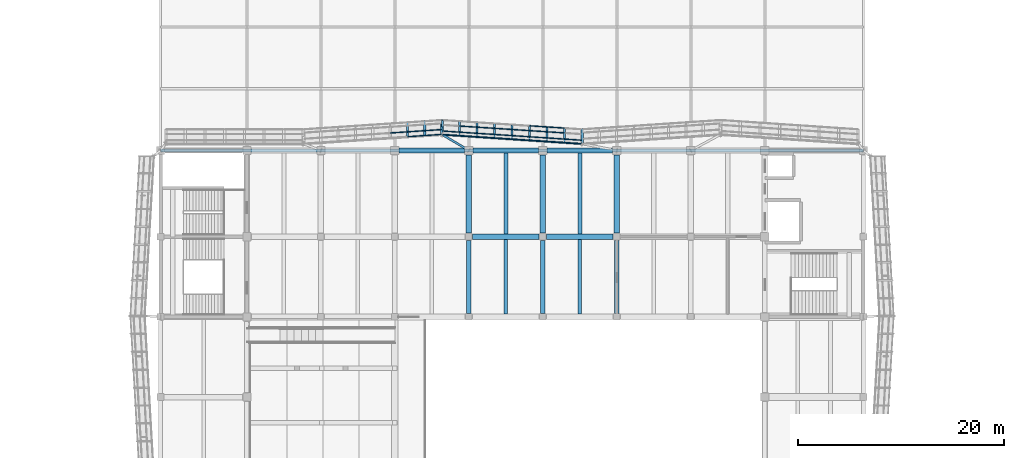
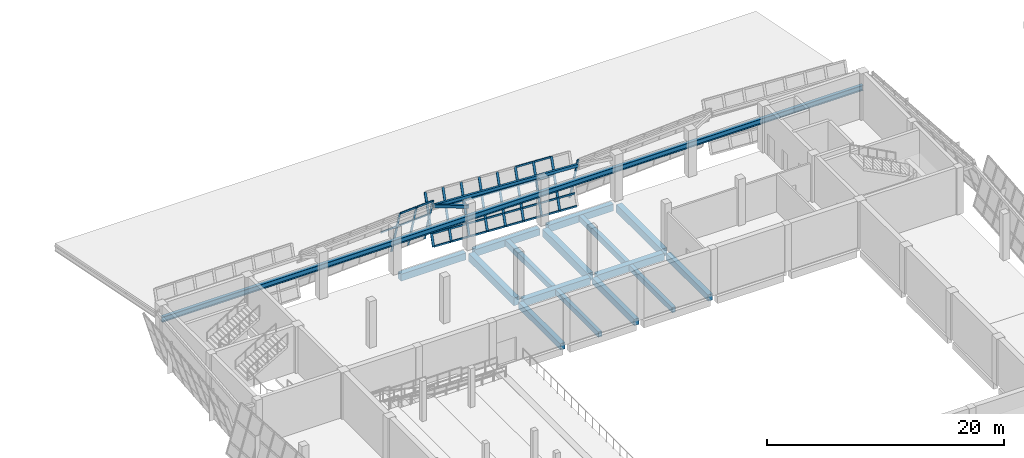
# One storey, part 27 of 79: 41 members, 18 beams, 3 elements without a shape of their own.
"""IFC4 building model written with IfcOpenShell, lengths in metres."""

from ifc_helpers import new_model, si_unit, direction, frame, origin, origin_2d, place, context, subcontext, project, spatial, rectangle, hollow_rectangle, i_section, extrude, material, material_profile, profile_set, type_object, element, aggregate, save


model = new_model("IFC4")

# Units and contexts
model_context = context("Model", 3, precision=1e-05, world=origin(), true_north=direction((0.0, 1.0)))
body_context = subcontext(model_context, "Body", "Model", "MODEL_VIEW")
ifc_project = project(units=[si_unit("LENGTHUNIT", "METRE"), si_unit("AREAUNIT", "SQUARE_METRE"), si_unit("VOLUMEUNIT", "CUBIC_METRE"), si_unit("PLANEANGLEUNIT", "RADIAN"), si_unit("MASSUNIT", "GRAM", prefix="KILO")], contexts=[model_context])

# Site, building, storey
site_placement = place(None, origin())
site = spatial("IfcSite", under=ifc_project, at=site_placement, CompositionType="ELEMENT")
building_placement = place(site_placement, origin())
building = spatial("IfcBuilding", under=site, at=building_placement, Name="Pellamere Symphony Hall", CompositionType="ELEMENT")
storey_placement = place(building_placement, frame((0.0, 0.0, 10.199951171875)))
storey = spatial("IfcBuildingStorey", under=building, at=storey_placement, Name="L02", CompositionType="ELEMENT", Elevation=10.199951171875)

# Curtain wall, member
ifc_material_1 = material(Name="Thermally Broken Anodised Aluminium 6063-T6 Curtain Wall", Category="aluminium")
curtain_wall_type = type_object("IfcCurtainWallType", Name="Curtain Wall CW-01 (Tilted Faceted Crystal Low-Iron Curtain Wall)", PredefinedType="NOTDEFINED", material=ifc_material_1)
curtain_wall_1_placement = place(storey_placement, origin())
curtain_wall_1 = element("IfcCurtainWall", 1, at=curtain_wall_1_placement, inside=storey, type_object=curtain_wall_type, Name="Crystal Faceted Curtain Wall CW-CR11 (L02)", PredefinedType="NOTDEFINED")
ifc_material_2 = material(Name="Anodised Architectural Aluminium 6063-T6", Category="aluminium")
ifc_material_profile_1 = material_profile(ifc_material_2, hollow_rectangle(XDim=0.074951171875, YDim=0.219970703125, WallThickness=0.0048828125, at=origin_2d()), Name="ALU-M75X220X5")
ifc_profile_set_1 = profile_set([ifc_material_profile_1], Name="Anodised Architectural Aluminium 6063-T6")
member_type_1 = type_object("IfcMemberType", Name="Curtain Wall Mullion ML-01 ALU-M75X220X5", PredefinedType="MULLION", material=ifc_profile_set_1)
member_1_placement = place(storey_placement, frame((91.4375, 95.67431640625, 0.0), z_axis=(0.0, -0.284021911736, 0.9588177896), x_axis=(0.066519010519, -0.956694159552, -0.283392848036)))
member_1 = element("IfcMember", 2, at=member_1_placement, type_object=member_type_1, Name="CW1-025 crystal mullion 9", PredefinedType="MULLION", context=body_context, shape_type="SweptSolid", body=[
    extrude(hollow_rectangle(XDim=0.074951171875, YDim=0.219970703125, WallThickness=0.0048828125, at=origin_2d()), origin(), (0.0, 0.0, 1.0), 5.006103515625),
])
aggregate(curtain_wall_1, [member_1])

# Curtain wall, members
curtain_wall_2_placement = place(storey_placement, origin())
curtain_wall_2 = element("IfcCurtainWall", 3, at=curtain_wall_2_placement, inside=storey, type_object=curtain_wall_type, Name="Crystal Faceted Curtain Wall CW-CR12 (L02)", PredefinedType="NOTDEFINED")
member_2_placement = place(storey_placement, frame((89.699951171875, 94.362548828125, 0.0), z_axis=(0.0, 0.283977077304, 0.958831069358), x_axis=(0.066032040643, 0.956738423577, -0.283357298229)))
member_2 = element("IfcMember", 4, at=member_2_placement, type_object=member_type_1, Name="CW1-028 crystal mullion 2", PredefinedType="MULLION", context=body_context, shape_type="SweptSolid", body=[
    extrude(hollow_rectangle(XDim=0.074951171875, YDim=0.219970703125, WallThickness=0.0048828125, at=origin_2d()), origin(), (0.0, 0.0, 1.0), 5.006103515625),
])
member_3_placement = place(storey_placement, frame((88.0, 94.47509765625, 0.0), z_axis=(0.0, 0.283977077304, 0.958831069358), x_axis=(0.066032040643, 0.956738423577, -0.283357298229)))
member_3 = element("IfcMember", 5, at=member_3_placement, type_object=member_type_1, Name="CW1-028 crystal mullion 3", PredefinedType="MULLION", context=body_context, shape_type="SweptSolid", body=[
    extrude(hollow_rectangle(XDim=0.074951171875, YDim=0.219970703125, WallThickness=0.0048828125, at=origin_2d()), origin(), (0.0, 0.0, 1.0), 5.006103515625),
])
member_4_placement = place(storey_placement, frame((86.300048828125, 94.58740234375, 0.0), z_axis=(0.0, 0.284021911736, 0.9588177896), x_axis=(0.066032040643, 0.956725172802, -0.28340203481)))
member_4 = element("IfcMember", 6, at=member_4_placement, type_object=member_type_1, Name="CW1-028 crystal mullion 4", PredefinedType="MULLION", context=body_context, shape_type="SweptSolid", body=[
    extrude(hollow_rectangle(XDim=0.074951171875, YDim=0.219970703125, WallThickness=0.0048828125, at=origin_2d()), origin(), (0.0, 0.0, 1.0), 5.006103515625),
])
member_5_placement = place(storey_placement, frame((84.60009765625, 94.699951171875, 0.0), z_axis=(0.0, 0.284021911736, 0.9588177896), x_axis=(0.066032040643, 0.956725172802, -0.28340203481)))
member_5 = element("IfcMember", 7, at=member_5_placement, type_object=member_type_1, Name="CW1-028 crystal mullion 5", PredefinedType="MULLION", context=body_context, shape_type="SweptSolid", body=[
    extrude(hollow_rectangle(XDim=0.074951171875, YDim=0.219970703125, WallThickness=0.0048828125, at=origin_2d()), origin(), (0.0, 0.0, 1.0), 5.006103515625),
])
member_6_placement = place(storey_placement, frame((82.89990234375, 94.8125, 0.0), z_axis=(0.0, 0.284021911736, 0.9588177896), x_axis=(0.066032040643, 0.956725172802, -0.28340203481)))
member_6 = element("IfcMember", 8, at=member_6_placement, type_object=member_type_1, Name="CW1-028 crystal mullion 6", PredefinedType="MULLION", context=body_context, shape_type="SweptSolid", body=[
    extrude(hollow_rectangle(XDim=0.074951171875, YDim=0.219970703125, WallThickness=0.0048828125, at=origin_2d()), origin(), (0.0, 0.0, 1.0), 5.006103515625),
])
member_7_placement = place(storey_placement, frame((81.199951171875, 94.925048828125, 0.0), z_axis=(0.0, 0.283977077304, 0.958831069358), x_axis=(0.066032040643, 0.956738423577, -0.283357298229)))
member_7 = element("IfcMember", 9, at=member_7_placement, type_object=member_type_1, Name="CW1-028 crystal mullion 7", PredefinedType="MULLION", context=body_context, shape_type="SweptSolid", body=[
    extrude(hollow_rectangle(XDim=0.074951171875, YDim=0.219970703125, WallThickness=0.0048828125, at=origin_2d()), origin(), (0.0, 0.0, 1.0), 5.006103515625),
])
member_8_placement = place(storey_placement, frame((79.5, 95.03759765625, 0.0), z_axis=(0.0, 0.283977077304, 0.958831069358), x_axis=(0.066032040643, 0.956738423577, -0.283357298229)))
member_8 = element("IfcMember", 10, at=member_8_placement, type_object=member_type_1, Name="CW1-028 crystal mullion 8", PredefinedType="MULLION", context=body_context, shape_type="SweptSolid", body=[
    extrude(hollow_rectangle(XDim=0.074951171875, YDim=0.219970703125, WallThickness=0.0048828125, at=origin_2d()), origin(), (0.0, 0.0, 1.0), 5.006103515625),
])
member_9_placement = place(storey_placement, frame((77.83740234375, 95.1474609375, 0.0), z_axis=(0.0, 0.284021911736, 0.9588177896), x_axis=(0.066032040643, 0.956725172802, -0.28340203481)))
member_9 = element("IfcMember", 11, at=member_9_placement, type_object=member_type_1, Name="CW1-028 crystal mullion 9", PredefinedType="MULLION", context=body_context, shape_type="SweptSolid", body=[
    extrude(hollow_rectangle(XDim=0.074951171875, YDim=0.219970703125, WallThickness=0.0048828125, at=origin_2d()), origin(), (0.0, 0.0, 1.0), 5.006103515625),
])

curtain_wall_3_placement = place(storey_placement, origin())
curtain_wall_3 = element("IfcCurtainWall", 12, at=curtain_wall_3_placement, inside=storey, type_object=curtain_wall_type, Name="Crystal Faceted Curtain Wall CW-CR13 (L02)", PredefinedType="NOTDEFINED")
member_10_placement = place(storey_placement, frame((77.7626953125, 96.5693359375, 0.0), z_axis=(0.0, -0.284021911736, 0.9588177896), x_axis=(0.066519010519, -0.956694159552, -0.283392848036)))
member_10 = element("IfcMember", 13, at=member_10_placement, type_object=member_type_1, Name="CW1-031 crystal mullion 1", PredefinedType="MULLION", context=body_context, shape_type="SweptSolid", body=[
    extrude(hollow_rectangle(XDim=0.074951171875, YDim=0.219970703125, WallThickness=0.0048828125, at=origin_2d()), origin(), (0.0, 0.0, 1.0), 5.006103515625),
])
member_11_placement = place(storey_placement, frame((76.112548828125, 96.459228515625, 0.0), z_axis=(0.0, -0.283977077304, 0.958831069358), x_axis=(0.066519010519, -0.956707409897, -0.283348112905)))
member_11 = element("IfcMember", 14, at=member_11_placement, type_object=member_type_1, Name="CW1-031 crystal mullion 2", PredefinedType="MULLION", context=body_context, shape_type="SweptSolid", body=[
    extrude(hollow_rectangle(XDim=0.074951171875, YDim=0.219970703125, WallThickness=0.0048828125, at=origin_2d()), origin(), (0.0, 0.0, 1.0), 5.006103515625),
])
member_12_placement = place(storey_placement, frame((74.425048828125, 96.3466796875, 0.0), z_axis=(0.0, -0.283977077304, 0.958831069358), x_axis=(0.066519010519, -0.956707409897, -0.283348112905)))
member_12 = element("IfcMember", 15, at=member_12_placement, type_object=member_type_1, Name="CW1-031 crystal mullion 3", PredefinedType="MULLION", context=body_context, shape_type="SweptSolid", body=[
    extrude(hollow_rectangle(XDim=0.074951171875, YDim=0.219970703125, WallThickness=0.0048828125, at=origin_2d()), origin(), (0.0, 0.0, 1.0), 5.006103515625),
])

# Member
ifc_material_profile_2 = material_profile(ifc_material_2, hollow_rectangle(XDim=0.074951171875, YDim=0.179931640625, WallThickness=0.0048828125, at=origin_2d()), Name="ALU-T75X180X5")
ifc_profile_set_2 = profile_set([ifc_material_profile_2], Name="Anodised Architectural Aluminium 6063-T6")
member_type_2 = type_object("IfcMemberType", Name="Curtain Wall Transom TR-01 ALU-T75X180X5", PredefinedType="USERDEFINED", material=ifc_profile_set_2)
member_13_placement = place(storey_placement, frame((91.3251953125, 94.265625, 0.035888671875), z_axis=(-0.997821663418, 0.065969144414, 0.0), x_axis=(-0.065969144414, -0.997821663418, 0.0)))
member_13 = element("IfcMember", 16, at=member_13_placement, type_object=member_type_2, Name="CW1-028 crystal transom 1.1", ObjectType="TRANSOM", PredefinedType="USERDEFINED", context=body_context, shape_type="SweptSolid", body=[
    extrude(hollow_rectangle(XDim=0.074951171875, YDim=0.179931640625, WallThickness=0.0048828125, at=origin_2d()), origin(), (0.0, 0.0, 1.0), 1.59130859375),
])

member_14_placement = place(storey_placement, frame((91.3251953125, 94.59619140625, 1.152099609375), z_axis=(-0.997821663418, 0.065969144414, 0.0), x_axis=(-0.065969144414, -0.997821663418, 0.0)))
member_14 = element("IfcMember", 17, at=member_14_placement, type_object=member_type_2, Name="CW1-028 crystal transom 1.2", ObjectType="TRANSOM", PredefinedType="USERDEFINED", context=body_context, shape_type="SweptSolid", body=[
    extrude(hollow_rectangle(XDim=0.074951171875, YDim=0.179931640625, WallThickness=0.0048828125, at=origin_2d()), origin(), (0.0, 0.0, 1.0), 1.59130859375),
])

member_15_placement = place(storey_placement, frame((89.66259765625, 94.375732421875, 0.035888671875), z_axis=(-0.997822801026, 0.065951935174, 0.0), x_axis=(-0.065951935174, -0.997822801026, 0.0)))
member_15 = element("IfcMember", 18, at=member_15_placement, type_object=member_type_2, Name="CW1-028 crystal transom 2.1", ObjectType="TRANSOM", PredefinedType="USERDEFINED", context=body_context, shape_type="SweptSolid", body=[
    extrude(hollow_rectangle(XDim=0.074951171875, YDim=0.179931640625, WallThickness=0.0048828125, at=origin_2d()), origin(), (0.0, 0.0, 1.0), 1.62890625),
])

member_16_placement = place(storey_placement, frame((89.66259765625, 94.706298828125, 1.152099609375), z_axis=(-0.997822801026, 0.065951935174, 0.0), x_axis=(-0.065951935174, -0.997822801026, 0.0)))
member_16 = element("IfcMember", 19, at=member_16_placement, type_object=member_type_2, Name="CW1-028 crystal transom 2.2", ObjectType="TRANSOM", PredefinedType="USERDEFINED", context=body_context, shape_type="SweptSolid", body=[
    extrude(hollow_rectangle(XDim=0.074951171875, YDim=0.179931640625, WallThickness=0.0048828125, at=origin_2d()), origin(), (0.0, 0.0, 1.0), 1.62890625),
])

member_17_placement = place(storey_placement, frame((89.66259765625, 95.303466796875, 3.16796875), z_axis=(-0.997822801026, 0.065951935174, 0.0), x_axis=(-0.065951935174, -0.997822801026, 0.0)))
member_17 = element("IfcMember", 20, at=member_17_placement, type_object=member_type_2, Name="CW1-028 crystal transom 2.3", ObjectType="TRANSOM", PredefinedType="USERDEFINED", context=body_context, shape_type="SweptSolid", body=[
    extrude(hollow_rectangle(XDim=0.074951171875, YDim=0.179931640625, WallThickness=0.0048828125, at=origin_2d()), origin(), (0.0, 0.0, 1.0), 1.62890625),
])

member_18_placement = place(storey_placement, frame((89.66259765625, 95.776123046875, 4.76416015625), z_axis=(-0.9978129259, 0.066101171747, 0.0), x_axis=(-0.066101171747, -0.9978129259, 0.0)))
member_18 = element("IfcMember", 21, at=member_18_placement, type_object=member_type_2, Name="CW1-028 crystal transom 2.4", ObjectType="TRANSOM", PredefinedType="USERDEFINED", context=body_context, shape_type="SweptSolid", body=[
    extrude(hollow_rectangle(XDim=0.074951171875, YDim=0.179931640625, WallThickness=0.0048828125, at=origin_2d()), origin(), (0.0, 0.0, 1.0), 1.62890625),
])

member_19_placement = place(storey_placement, frame((87.962646484375, 94.488037109375, 0.035888671875), z_axis=(-0.9978129259, 0.066101171747, 0.0), x_axis=(-0.066101171747, -0.9978129259, 0.0)))
member_19 = element("IfcMember", 22, at=member_19_placement, type_object=member_type_2, Name="CW1-028 crystal transom 3.1", ObjectType="TRANSOM", PredefinedType="USERDEFINED", context=body_context, shape_type="SweptSolid", body=[
    extrude(hollow_rectangle(XDim=0.074951171875, YDim=0.179931640625, WallThickness=0.0048828125, at=origin_2d()), origin(), (0.0, 0.0, 1.0), 1.62890625),
])

member_20_placement = place(storey_placement, frame((87.962646484375, 94.818603515625, 1.152099609375), z_axis=(-0.9978129259, 0.066101171747, 0.0), x_axis=(-0.066101171747, -0.9978129259, 0.0)))
member_20 = element("IfcMember", 23, at=member_20_placement, type_object=member_type_2, Name="CW1-028 crystal transom 3.2", ObjectType="TRANSOM", PredefinedType="USERDEFINED", context=body_context, shape_type="SweptSolid", body=[
    extrude(hollow_rectangle(XDim=0.074951171875, YDim=0.179931640625, WallThickness=0.0048828125, at=origin_2d()), origin(), (0.0, 0.0, 1.0), 1.62890625),
])

member_21_placement = place(storey_placement, frame((87.962646484375, 95.415771484375, 3.16796875), z_axis=(-0.9978129259, 0.066101171747, 0.0), x_axis=(-0.066101171747, -0.9978129259, 0.0)))
member_21 = element("IfcMember", 24, at=member_21_placement, type_object=member_type_2, Name="CW1-028 crystal transom 3.3", ObjectType="TRANSOM", PredefinedType="USERDEFINED", context=body_context, shape_type="SweptSolid", body=[
    extrude(hollow_rectangle(XDim=0.074951171875, YDim=0.179931640625, WallThickness=0.0048828125, at=origin_2d()), origin(), (0.0, 0.0, 1.0), 1.62890625),
])

member_22_placement = place(storey_placement, frame((87.962646484375, 95.888671875, 4.76416015625), z_axis=(-0.997822801026, 0.065951935174, 0.0), x_axis=(-0.065951935174, -0.997822801026, 0.0)))
member_22 = element("IfcMember", 25, at=member_22_placement, type_object=member_type_2, Name="CW1-028 crystal transom 3.4", ObjectType="TRANSOM", PredefinedType="USERDEFINED", context=body_context, shape_type="SweptSolid", body=[
    extrude(hollow_rectangle(XDim=0.074951171875, YDim=0.179931640625, WallThickness=0.0048828125, at=origin_2d()), origin(), (0.0, 0.0, 1.0), 1.62890625),
])

member_23_placement = place(storey_placement, frame((86.2626953125, 94.6005859375, 0.035888671875), z_axis=(-0.9978129259, 0.066101171747, 0.0), x_axis=(-0.066101171747, -0.9978129259, 0.0)))
member_23 = element("IfcMember", 26, at=member_23_placement, type_object=member_type_2, Name="CW1-028 crystal transom 4.1", ObjectType="TRANSOM", PredefinedType="USERDEFINED", context=body_context, shape_type="SweptSolid", body=[
    extrude(hollow_rectangle(XDim=0.074951171875, YDim=0.179931640625, WallThickness=0.0048828125, at=origin_2d()), origin(), (0.0, 0.0, 1.0), 1.62890625),
])

member_24_placement = place(storey_placement, frame((86.2626953125, 94.93115234375, 1.152099609375), z_axis=(-0.9978129259, 0.066101171747, 0.0), x_axis=(-0.066101171747, -0.9978129259, 0.0)))
member_24 = element("IfcMember", 27, at=member_24_placement, type_object=member_type_2, Name="CW1-028 crystal transom 4.2", ObjectType="TRANSOM", PredefinedType="USERDEFINED", context=body_context, shape_type="SweptSolid", body=[
    extrude(hollow_rectangle(XDim=0.074951171875, YDim=0.179931640625, WallThickness=0.0048828125, at=origin_2d()), origin(), (0.0, 0.0, 1.0), 1.62890625),
])

member_25_placement = place(storey_placement, frame((86.2626953125, 95.5283203125, 3.16796875), z_axis=(-0.9978129259, 0.066101171747, 0.0), x_axis=(-0.066101171747, -0.9978129259, 0.0)))
member_25 = element("IfcMember", 28, at=member_25_placement, type_object=member_type_2, Name="CW1-028 crystal transom 4.3", ObjectType="TRANSOM", PredefinedType="USERDEFINED", context=body_context, shape_type="SweptSolid", body=[
    extrude(hollow_rectangle(XDim=0.074951171875, YDim=0.179931640625, WallThickness=0.0048828125, at=origin_2d()), origin(), (0.0, 0.0, 1.0), 1.62890625),
])

member_26_placement = place(storey_placement, frame((84.5625, 94.713134765625, 0.035888671875), z_axis=(-0.997822148906, 0.065961800709, 0.0), x_axis=(-0.065961800709, -0.997822148906, 0.0)))
member_26 = element("IfcMember", 29, at=member_26_placement, type_object=member_type_2, Name="CW1-028 crystal transom 5.1", ObjectType="TRANSOM", PredefinedType="USERDEFINED", context=body_context, shape_type="SweptSolid", body=[
    extrude(hollow_rectangle(XDim=0.074951171875, YDim=0.179931640625, WallThickness=0.0048828125, at=origin_2d()), origin(), (0.0, 0.0, 1.0), 1.628662109375),
])

member_27_placement = place(storey_placement, frame((84.5625, 95.043701171875, 1.152099609375), z_axis=(-0.997812270832, 0.066111059411, 0.0), x_axis=(-0.066111059411, -0.997812270832, 0.0)))
member_27 = element("IfcMember", 30, at=member_27_placement, type_object=member_type_2, Name="CW1-028 crystal transom 5.2", ObjectType="TRANSOM", PredefinedType="USERDEFINED", context=body_context, shape_type="SweptSolid", body=[
    extrude(hollow_rectangle(XDim=0.074951171875, YDim=0.179931640625, WallThickness=0.0048828125, at=origin_2d()), origin(), (0.0, 0.0, 1.0), 1.628662109375),
])

member_28_placement = place(storey_placement, frame((84.5625, 95.640869140625, 3.16796875), z_axis=(-0.997822148906, 0.065961800709, 0.0), x_axis=(-0.065961800709, -0.997822148906, 0.0)))
member_28 = element("IfcMember", 31, at=member_28_placement, type_object=member_type_2, Name="CW1-028 crystal transom 5.3", ObjectType="TRANSOM", PredefinedType="USERDEFINED", context=body_context, shape_type="SweptSolid", body=[
    extrude(hollow_rectangle(XDim=0.074951171875, YDim=0.179931640625, WallThickness=0.0048828125, at=origin_2d()), origin(), (0.0, 0.0, 1.0), 1.628662109375),
])

member_29_placement = place(storey_placement, frame((82.862548828125, 94.82568359375, 0.035888671875), z_axis=(-0.997822801026, 0.065951935174, 0.0), x_axis=(-0.065951935174, -0.997822801026, 0.0)))
member_29 = element("IfcMember", 32, at=member_29_placement, type_object=member_type_2, Name="CW1-028 crystal transom 6.1", ObjectType="TRANSOM", PredefinedType="USERDEFINED", context=body_context, shape_type="SweptSolid", body=[
    extrude(hollow_rectangle(XDim=0.074951171875, YDim=0.179931640625, WallThickness=0.0048828125, at=origin_2d()), origin(), (0.0, 0.0, 1.0), 1.62890625),
])

member_30_placement = place(storey_placement, frame((82.862548828125, 95.15625, 1.152099609375), z_axis=(-0.997822801026, 0.065951935174, 0.0), x_axis=(-0.065951935174, -0.997822801026, 0.0)))
member_30 = element("IfcMember", 33, at=member_30_placement, type_object=member_type_2, Name="CW1-028 crystal transom 6.2", ObjectType="TRANSOM", PredefinedType="USERDEFINED", context=body_context, shape_type="SweptSolid", body=[
    extrude(hollow_rectangle(XDim=0.074951171875, YDim=0.179931640625, WallThickness=0.0048828125, at=origin_2d()), origin(), (0.0, 0.0, 1.0), 1.62890625),
])

member_31_placement = place(storey_placement, frame((82.862548828125, 95.75341796875, 3.16796875), z_axis=(-0.997822801026, 0.065951935174, 0.0), x_axis=(-0.065951935174, -0.997822801026, 0.0)))
member_31 = element("IfcMember", 34, at=member_31_placement, type_object=member_type_2, Name="CW1-028 crystal transom 6.3", ObjectType="TRANSOM", PredefinedType="USERDEFINED", context=body_context, shape_type="SweptSolid", body=[
    extrude(hollow_rectangle(XDim=0.074951171875, YDim=0.179931640625, WallThickness=0.0048828125, at=origin_2d()), origin(), (0.0, 0.0, 1.0), 1.62890625),
])

member_32_placement = place(storey_placement, frame((81.16259765625, 94.938232421875, 0.035888671875), z_axis=(-0.997822801026, 0.065951935174, 0.0), x_axis=(-0.065951935174, -0.997822801026, 0.0)))
member_32 = element("IfcMember", 35, at=member_32_placement, type_object=member_type_2, Name="CW1-028 crystal transom 7.1", ObjectType="TRANSOM", PredefinedType="USERDEFINED", context=body_context, shape_type="SweptSolid", body=[
    extrude(hollow_rectangle(XDim=0.074951171875, YDim=0.179931640625, WallThickness=0.0048828125, at=origin_2d()), origin(), (0.0, 0.0, 1.0), 1.62890625),
])

member_33_placement = place(storey_placement, frame((81.16259765625, 95.268798828125, 1.152099609375), z_axis=(-0.997822801026, 0.065951935174, 0.0), x_axis=(-0.065951935174, -0.997822801026, 0.0)))
member_33 = element("IfcMember", 36, at=member_33_placement, type_object=member_type_2, Name="CW1-028 crystal transom 7.2", ObjectType="TRANSOM", PredefinedType="USERDEFINED", context=body_context, shape_type="SweptSolid", body=[
    extrude(hollow_rectangle(XDim=0.074951171875, YDim=0.179931640625, WallThickness=0.0048828125, at=origin_2d()), origin(), (0.0, 0.0, 1.0), 1.62890625),
])

member_34_placement = place(storey_placement, frame((81.16259765625, 95.865966796875, 3.16796875), z_axis=(-0.997822801026, 0.065951935174, 0.0), x_axis=(-0.065951935174, -0.997822801026, 0.0)))
member_34 = element("IfcMember", 37, at=member_34_placement, type_object=member_type_2, Name="CW1-028 crystal transom 7.3", ObjectType="TRANSOM", PredefinedType="USERDEFINED", context=body_context, shape_type="SweptSolid", body=[
    extrude(hollow_rectangle(XDim=0.074951171875, YDim=0.179931640625, WallThickness=0.0048828125, at=origin_2d()), origin(), (0.0, 0.0, 1.0), 1.62890625),
])

member_35_placement = place(storey_placement, frame((79.462646484375, 95.050537109375, 0.035888671875), z_axis=(-0.997811553112, 0.06612189105, 0.0), x_axis=(-0.06612189105, -0.997811553112, 0.0)))
member_35 = element("IfcMember", 38, at=member_35_placement, type_object=member_type_2, Name="CW1-028 crystal transom 8.1", ObjectType="TRANSOM", PredefinedType="USERDEFINED", context=body_context, shape_type="SweptSolid", body=[
    extrude(hollow_rectangle(XDim=0.074951171875, YDim=0.179931640625, WallThickness=0.0048828125, at=origin_2d()), origin(), (0.0, 0.0, 1.0), 1.59130859375),
])

member_36_placement = place(storey_placement, frame((79.462646484375, 95.381103515625, 1.152099609375), z_axis=(-0.997811553112, 0.06612189105, 0.0), x_axis=(-0.06612189105, -0.997811553112, 0.0)))
member_36 = element("IfcMember", 39, at=member_36_placement, type_object=member_type_2, Name="CW1-028 crystal transom 8.2", ObjectType="TRANSOM", PredefinedType="USERDEFINED", context=body_context, shape_type="SweptSolid", body=[
    extrude(hollow_rectangle(XDim=0.074951171875, YDim=0.179931640625, WallThickness=0.0048828125, at=origin_2d()), origin(), (0.0, 0.0, 1.0), 1.59130859375),
])

aggregate(curtain_wall_2, [member_2, member_3, member_4, member_5, member_6, member_7, member_8, member_9, member_13, member_14, member_15, member_16, member_17, member_18, member_19, member_20, member_21, member_22, member_23, member_24, member_25, member_26, member_27, member_28, member_29, member_30, member_31, member_32, member_33, member_34, member_35, member_36])

member_37_placement = place(storey_placement, frame((77.72509765625, 95.62841796875, 3.16796875), z_axis=(-0.997786526209, -0.066498482063, 0.0), x_axis=(0.066498482063, -0.997786526209, 0.0)))
member_37 = element("IfcMember", 40, at=member_37_placement, type_object=member_type_2, Name="CW1-031 crystal transom 1.3", ObjectType="TRANSOM", PredefinedType="USERDEFINED", context=body_context, shape_type="SweptSolid", body=[
    extrude(hollow_rectangle(XDim=0.074951171875, YDim=0.179931640625, WallThickness=0.0048828125, at=origin_2d()), origin(), (0.0, 0.0, 1.0), 1.57861328125),
])

member_38_placement = place(storey_placement, frame((77.72509765625, 95.15576171875, 4.76416015625), z_axis=(-0.997776253366, -0.06665244346, 0.0), x_axis=(0.06665244346, -0.997776253366, 0.0)))
member_38 = element("IfcMember", 41, at=member_38_placement, type_object=member_type_2, Name="CW1-031 crystal transom 1.4", ObjectType="TRANSOM", PredefinedType="USERDEFINED", context=body_context, shape_type="SweptSolid", body=[
    extrude(hollow_rectangle(XDim=0.074951171875, YDim=0.179931640625, WallThickness=0.0048828125, at=origin_2d()), origin(), (0.0, 0.0, 1.0), 1.57861328125),
])

member_39_placement = place(storey_placement, frame((76.0751953125, 95.518310546875, 3.16796875), z_axis=(-0.997789166031, -0.066458860589, 0.0), x_axis=(0.066458860589, -0.997789166031, 0.0)))
member_39 = element("IfcMember", 42, at=member_39_placement, type_object=member_type_2, Name="CW1-031 crystal transom 2.3", ObjectType="TRANSOM", PredefinedType="USERDEFINED", context=body_context, shape_type="SweptSolid", body=[
    extrude(hollow_rectangle(XDim=0.074951171875, YDim=0.179931640625, WallThickness=0.0048828125, at=origin_2d()), origin(), (0.0, 0.0, 1.0), 1.616455078125),
])

member_40_placement = place(storey_placement, frame((76.0751953125, 95.045654296875, 4.76416015625), z_axis=(-0.997789166031, -0.066458860589, 0.0), x_axis=(0.066458860589, -0.997789166031, 0.0)))
member_40 = element("IfcMember", 43, at=member_40_placement, type_object=member_type_2, Name="CW1-031 crystal transom 2.4", ObjectType="TRANSOM", PredefinedType="USERDEFINED", context=body_context, shape_type="SweptSolid", body=[
    extrude(hollow_rectangle(XDim=0.074951171875, YDim=0.179931640625, WallThickness=0.0048828125, at=origin_2d()), origin(), (0.0, 0.0, 1.0), 1.616455078125),
])

member_41_placement = place(storey_placement, frame((74.3876953125, 95.406005859375, 3.16796875), z_axis=(-0.997779138857, -0.066609234065, 0.0), x_axis=(0.066609234065, -0.997779138857, 0.0)))
member_41 = element("IfcMember", 44, at=member_41_placement, type_object=member_type_2, Name="CW1-031 crystal transom 3.3", ObjectType="TRANSOM", PredefinedType="USERDEFINED", context=body_context, shape_type="SweptSolid", body=[
    extrude(hollow_rectangle(XDim=0.074951171875, YDim=0.179931640625, WallThickness=0.0048828125, at=origin_2d()), origin(), (0.0, 0.0, 1.0), 1.616455078125),
])

aggregate(curtain_wall_3, [member_10, member_11, member_12, member_37, member_38, member_39, member_40, member_41])

# Beams
ifc_material_3 = material(Name="Concrete 40 MPa", Category="concrete")
ifc_material_profile_3 = material_profile(ifc_material_3, rectangle(XDim=0.550048828125, YDim=0.800048828125, at=origin_2d()), Name="RC 550x800")
ifc_profile_set_3 = profile_set([ifc_material_profile_3], Name="Concrete 40 MPa")
beam_type_1 = type_object("IfcBeamType", Name="RC CB-05 550x800", PredefinedType="BEAM", material=ifc_profile_set_3)
for number, where, z_axis, x_axis, name in (
    (45, (80.39990234375, 85.550048828125, -0.679931640625), (0.0, 1.0, 0.0), (-1.0, 0.0, 0.0), "Girder CB-05-Y1287 (L02)"),
    (46, (87.60009765625, 85.550048828125, -0.679931640625), (0.0, 1.0, 0.0), (-1.0, 0.0, 0.0), "Girder CB-05-Y1291 (L02)"),
    (47, (94.800048828125, 85.550048828125, -0.679931640625), (0.0, 1.0, 0.0), (-1.0, 0.0, 0.0), "Girder CB-05-Y1300 (L02)"),
):
    element("IfcBeam", number, at=place(storey_placement, frame(where, z_axis=z_axis, x_axis=x_axis)), inside=storey, type_object=beam_type_1, Name=name, PredefinedType="BEAM", context=body_context, shape_type="SweptSolid", body=[
        extrude(rectangle(XDim=0.550048828125, YDim=0.800048828125, at=origin_2d()), origin(), (0.0, 0.0, 1.0), 7.625),
    ])
ifc_material_profile_4 = material_profile(ifc_material_3, rectangle(XDim=0.449951171875, YDim=0.64990234375, at=origin_2d()), Name="RC 450x650")
ifc_profile_set_4 = profile_set([ifc_material_profile_4], Name="Concrete 40 MPa")
beam_type_2 = type_object("IfcBeamType", Name="RC CB-08 450x650", PredefinedType="BEAM", material=ifc_profile_set_4)
for number, where, z_axis, x_axis, name in (
    (48, (80.39990234375, 77.75, -0.60498046875), (0.0, 1.0, 0.0), (-1.0, 0.0, 0.0), "Girder CB-08-Y1286 (L02)"),
    (49, (87.60009765625, 77.75, -0.60498046875), (0.0, 1.0, 0.0), (-1.0, 0.0, 0.0), "Girder CB-08-Y1290 (L02)"),
    (50, (94.800048828125, 77.75, -0.60498046875), (0.0, 1.0, 0.0), (-1.0, 0.0, 0.0), "Girder CB-08-Y1299 (L02)"),
):
    element("IfcBeam", number, at=place(storey_placement, frame(where, z_axis=z_axis, x_axis=x_axis)), inside=storey, type_object=beam_type_2, Name=name, PredefinedType="BEAM", context=body_context, shape_type="SweptSolid", body=[
        extrude(rectangle(XDim=0.449951171875, YDim=0.64990234375, at=origin_2d()), origin(), (0.0, 0.0, 1.0), 7.10009765625),
    ])
ifc_material_profile_5 = material_profile(ifc_material_3, rectangle(XDim=0.39990234375, YDim=0.60009765625, at=origin_2d()), Name="RC 400x600")
ifc_profile_set_5 = profile_set([ifc_material_profile_5], Name="Concrete 40 MPa")
beam_type_3 = type_object("IfcBeamType", Name="RC CB-09 400x600", PredefinedType="BEAM", material=ifc_profile_set_5)
for number, where, z_axis, x_axis, name in (
    (51, (84.0, 85.469970703125, -0.594970703125), (0.0, 1.0, 0.0), (-1.0, 0.0, 0.0), "Secondary Floor Beam CB-09-M1011 (L02)"),
    (52, (91.199951171875, 85.469970703125, -0.594970703125), (0.0, 1.0, 0.0), (-1.0, 0.0, 0.0), "Secondary Floor Beam CB-09-M1111 (L02)"),
):
    element("IfcBeam", number, at=place(storey_placement, frame(where, z_axis=z_axis, x_axis=x_axis)), inside=storey, type_object=beam_type_3, Name=name, PredefinedType="BEAM", context=body_context, shape_type="SweptSolid", body=[
        extrude(rectangle(XDim=0.39990234375, YDim=0.60009765625, at=origin_2d()), origin(), (0.0, 0.0, 1.0), 7.89013671875),
    ])
ifc_material_4 = material(Name="Concrete 35 MPa", Category="concrete")
ifc_material_profile_6 = material_profile(ifc_material_4, rectangle(XDim=0.35009765625, YDim=0.550048828125, at=origin_2d()), Name="RC 350x550")
ifc_profile_set_6 = profile_set([ifc_material_profile_6], Name="Concrete 35 MPa")
beam_type_4 = type_object("IfcBeamType", Name="RC CB-10 350x550", PredefinedType="BEAM", material=ifc_profile_set_6)
for number, where, z_axis, x_axis, name in (
    (53, (84.0, 77.669921875, -0.570068359375), (0.0, 1.0, 0.0), (-1.0, 0.0, 0.0), "Secondary Floor Beam CB-10-M1010 (L02)"),
    (54, (91.199951171875, 77.669921875, -0.570068359375), (0.0, 1.0, 0.0), (-1.0, 0.0, 0.0), "Secondary Floor Beam CB-10-M1110 (L02)"),
):
    element("IfcBeam", number, at=place(storey_placement, frame(where, z_axis=z_axis, x_axis=x_axis)), inside=storey, type_object=beam_type_4, Name=name, PredefinedType="BEAM", context=body_context, shape_type="SweptSolid", body=[
        extrude(rectangle(XDim=0.35009765625, YDim=0.550048828125, at=origin_2d()), origin(), (0.0, 0.0, 1.0), 7.260009765625),
    ])
ifc_material_profile_7 = material_profile(ifc_material_3, rectangle(XDim=0.47998046875, YDim=0.719970703125, at=origin_2d()), Name="RC 480x720")
ifc_profile_set_7 = profile_set([ifc_material_profile_7], Name="Concrete 40 MPa")
beam_type_5 = type_object("IfcBeamType", Name="RC CB-14 480x720", PredefinedType="SPANDREL", material=ifc_profile_set_7)
for number, where, z_axis, x_axis, name in (
    (55, (73.625, 93.60009765625, -0.639892578125), (1.0, 0.0, 0.0), (0.0, 1.0, 0.0), "Girder CB-14-X1180 (L02)"),
    (56, (80.824951171875, 93.60009765625, -0.639892578125), (1.0, 0.0, 0.0), (0.0, 1.0, 0.0), "Girder CB-14-X1181 (L02)"),
    (57, (88.02490234375, 93.60009765625, -0.639892578125), (1.0, 0.0, 0.0), (0.0, 1.0, 0.0), "Girder CB-14-X1182 (L02)"),
):
    element("IfcBeam", number, at=place(storey_placement, frame(where, z_axis=z_axis, x_axis=x_axis)), inside=storey, type_object=beam_type_5, Name=name, PredefinedType="SPANDREL", context=body_context, shape_type="SweptSolid", body=[
        extrude(rectangle(XDim=0.47998046875, YDim=0.719970703125, at=origin_2d()), origin(), (0.0, 0.0, 1.0), 6.35009765625),
    ])
ifc_material_profile_8 = material_profile(ifc_material_3, rectangle(XDim=0.5400390625, YDim=0.719970703125, at=origin_2d()), Name="RC 540x720")
ifc_profile_set_8 = profile_set([ifc_material_profile_8], Name="Concrete 40 MPa")
beam_type_6 = type_object("IfcBeamType", Name="RC CB-24 540x720", PredefinedType="BEAM", material=ifc_profile_set_8)
for number, where, z_axis, x_axis, name in (
    (58, (80.75, 85.199951171875, -0.639892578125), (1.0, 0.0, 0.0), (0.0, 1.0, 0.0), "Girder CB-24-X1169 (L02)"),
    (59, (87.949951171875, 85.199951171875, -0.639892578125), (1.0, 0.0, 0.0), (0.0, 1.0, 0.0), "Girder CB-24-X1170 (L02)"),
):
    element("IfcBeam", number, at=place(storey_placement, frame(where, z_axis=z_axis, x_axis=x_axis)), inside=storey, type_object=beam_type_6, Name=name, PredefinedType="BEAM", context=body_context, shape_type="SweptSolid", body=[
        extrude(rectangle(XDim=0.5400390625, YDim=0.719970703125, at=origin_2d()), origin(), (0.0, 0.0, 1.0), 6.5),
    ])
ifc_material_5 = material(Name="Steel CSA G40.21 350W", Category="steel")
ifc_material_profile_9 = material_profile(ifc_material_5, i_section(OverallWidth=0.31201171875, OverallDepth=0.54296875, WebThickness=0.0126953125, FlangeThickness=0.020263671875, at=origin_2d()), Name="W530X150")
ifc_profile_set_9 = profile_set([ifc_material_profile_9], Name="Steel CSA G40.21 350W")
beam_type_7 = type_object("IfcBeamType", Name="Steel Beam SB-13 W530X150", PredefinedType="BEAM", material=ifc_profile_set_9)
beam_1_placement = place(storey_placement, frame((50.39990234375, 93.60009765625, 3.10009765625), z_axis=(1.0, 0.0, 0.0), x_axis=(0.0, 1.0, 0.0)))
element("IfcBeam", 60, at=beam_1_placement, inside=storey, type_object=beam_type_7, Name="Rehearsal Roof Upper Ledger Girder", PredefinedType="BEAM", context=body_context, shape_type="SweptSolid", body=[
    extrude(i_section(OverallWidth=0.31201171875, OverallDepth=0.54296875, WebThickness=0.0126953125, FlangeThickness=0.020263671875, at=origin_2d()), origin(), (0.0, 0.0, 1.0), 68.400146484375),
])
ifc_material_profile_10 = material_profile(ifc_material_5, hollow_rectangle(XDim=0.203125, YDim=0.3046875, WallThickness=0.0126953125, at=origin_2d()), Name="HSS305X203X13")
ifc_profile_set_10 = profile_set([ifc_material_profile_10], Name="Steel CSA G40.21 350W")
beam_type_8 = type_object("IfcBeamType", Name="Steel Spandrel SB-26 HSS305X203X13", PredefinedType="SPANDREL", material=ifc_profile_set_10)
beam_2_placement = place(storey_placement, frame((91.39990234375, 94.25, 4.239990234375), z_axis=(-0.997817928363, 0.066025615007, 0.0), x_axis=(-0.066025615007, -0.997817928363, 0.0)))
element("IfcBeam", 61, at=beam_2_placement, inside=storey, type_object=beam_type_8, Name="Crystal Perimeter Ring Beam CW-CR12 (L02)", PredefinedType="SPANDREL", context=body_context, shape_type="SweptSolid", body=[
    extrude(hollow_rectangle(XDim=0.203125, YDim=0.3046875, WallThickness=0.0126953125, at=origin_2d()), origin(), (0.0, 0.0, 1.0), 13.629638671875),
])
beam_3_placement = place(storey_placement, frame((80.39990234375, 93.60009765625, 4.239990234375), z_axis=(-0.858962665903, 0.512038219847, 0.0), x_axis=(-0.512038219847, -0.858962665903, 0.0)))
element("IfcBeam", 62, at=beam_3_placement, inside=storey, type_object=beam_type_8, Name="Crystal Ring Outrigger Bracket 064 (L02)", PredefinedType="SPANDREL", context=body_context, shape_type="SweptSolid", body=[
    extrude(hollow_rectangle(XDim=0.203125, YDim=0.3046875, WallThickness=0.0126953125, at=origin_2d()), origin(), (0.0, 0.0, 1.0), 3.02685546875),
])

save(model, "model.ifc")
